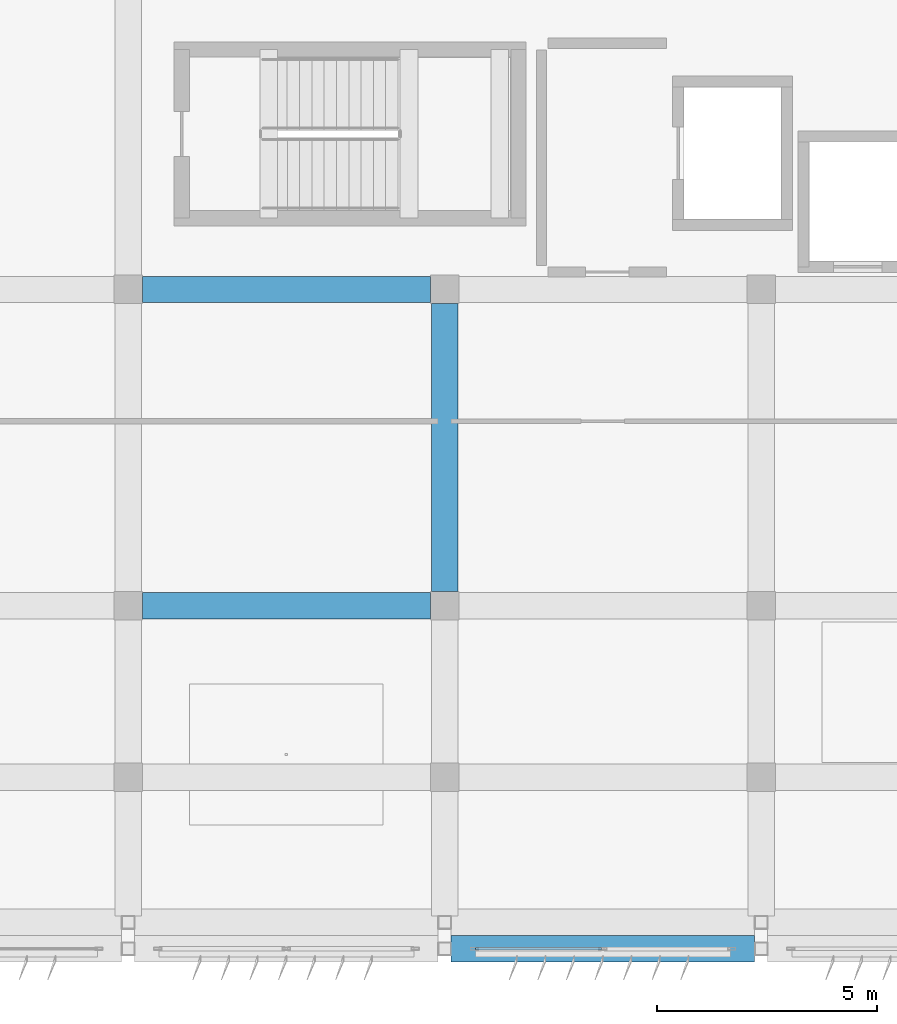
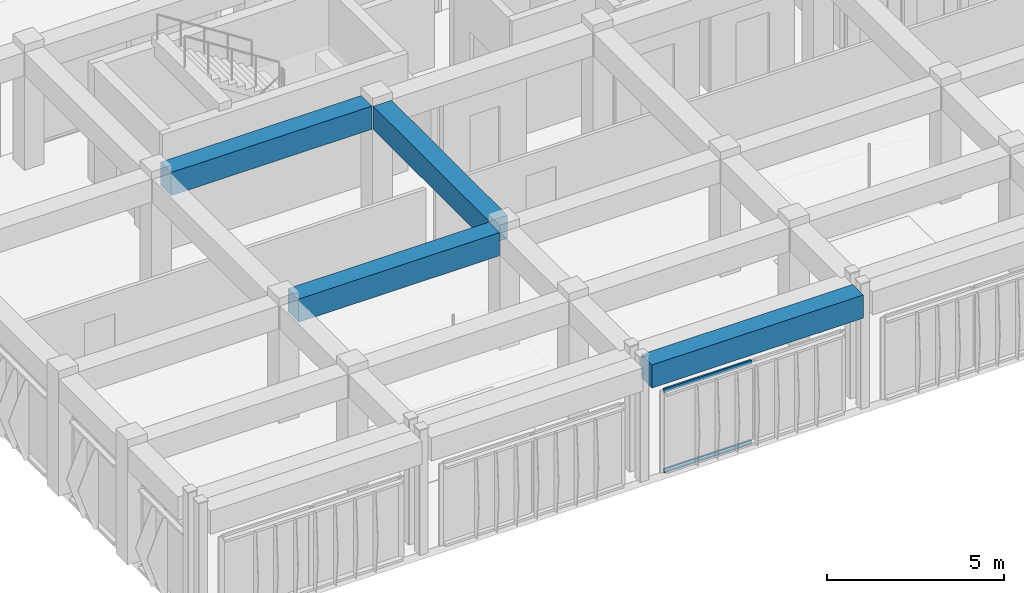
# One storey, part 6 of 42: 4 beams, 2 members, 1 element without a shape of its own.
"""IFC4 building model written with IfcOpenShell, lengths in metres."""

import ifcopenshell
import ifcopenshell.guid

model = None  # the IFC model being written
_history = None  # IfcOwnerHistory: only IFC2X3 demands one
_inside = {}  # id of a spatial element -> (the spatial element, [elements in it])
_under = {}  # id of a project, library or spatial element -> (it, [spatial elements below it])
_declared = {}  # id of a project -> (the project, [libraries it declares])
_typed = {}  # id of a type object -> (the type object, [elements of that type])
_made_of = {}  # id of a material, layer set ... -> (it, [elements and type objects made of it])


def new_model(schema):
    """Start an empty IFC model of exactly this schema.

    Asked for "IFC4X3", IfcOpenShell would pick the latest addendum, in which some entities
    have other attributes; the version numbers below select the first issue.
    IFC2X3 requires an IfcOwnerHistory on every rooted entity: one is made here for all.
    """
    global model, _history
    if schema == "IFC4X3":
        model = ifcopenshell.file(schema_version=(4, 3, 0, 0))
    else:
        model = ifcopenshell.file(schema=schema)
    _inside.clear()
    _under.clear()
    _declared.clear()
    _typed.clear()
    _made_of.clear()
    _history = None
    if model.schema == "IFC2X3":
        org = make("IfcOrganization", Name="unknown")
        user = make(
            "IfcPersonAndOrganization",
            ThePerson=make("IfcPerson", FamilyName="unknown"),
            TheOrganization=org,
        )
        app = make(
            "IfcApplication",
            ApplicationDeveloper=org,
            Version="unknown",
            ApplicationFullName="unknown",
            ApplicationIdentifier="unknown",
        )
        _history = make(
            "IfcOwnerHistory",
            OwningUser=user,
            OwningApplication=app,
            ChangeAction="ADDED",
            CreationDate=0,
        )
    return model


def make(cls, **values):
    """One entity of the class cls with the attributes given. An attribute that is None is left unset."""
    return model.create_entity(
        cls, **{name: value for name, value in values.items() if value is not None}
    )


def rooted(cls, **values):
    """An entity with a GlobalId (a new one), such as an element, a storey or a relation."""
    return make(cls, GlobalId=ifcopenshell.guid.new(), OwnerHistory=_history, **values)


def si_unit(unit_type, name, prefix=None):
    """IfcSIUnit, for example si_unit("LENGTHUNIT", "METRE", prefix="MILLI")."""
    return make("IfcSIUnit", UnitType=unit_type, Prefix=prefix, Name=name)


def assignment(units):
    """IfcUnitAssignment: the units of a project."""
    return None if units is None else make("IfcUnitAssignment", Units=units)


def point(xyz):
    """IfcCartesianPoint."""
    return None if xyz is None else make("IfcCartesianPoint", Coordinates=xyz)


def direction(xyz):
    """IfcDirection."""
    return None if xyz is None else make("IfcDirection", DirectionRatios=xyz)


def frame(location, z_axis=None, x_axis=None):
    """IfcAxis2Placement3D, a coordinate frame: its origin and axes. An axis left out is left unset."""
    return make(
        "IfcAxis2Placement3D",
        Location=point(location),
        Axis=direction(z_axis),
        RefDirection=direction(x_axis),
    )


def frame_2d(location, x_axis=None):
    """IfcAxis2Placement2D, a coordinate frame in the plane: its origin and x axis."""
    return make(
        "IfcAxis2Placement2D", Location=point(location), RefDirection=direction(x_axis)
    )


def origin():
    """The frame at (0, 0, 0) with its axes left unset."""
    return frame((0.0, 0.0, 0.0))


def origin_2d():
    """The frame at (0, 0) in the plane with its x axis left unset."""
    return frame_2d((0.0, 0.0))


def place(relative_to, where):
    """IfcLocalPlacement: puts the frame where relative to a parent placement (None: the world)."""
    return make(
        "IfcLocalPlacement", PlacementRelTo=relative_to, RelativePlacement=where
    )


def context(
    kind, dimensions, precision=None, world=None, true_north=None, identifier=None
):
    """IfcGeometricRepresentationContext, for example the 3D "Model" context."""
    return make(
        "IfcGeometricRepresentationContext",
        ContextIdentifier=identifier,
        ContextType=kind,
        CoordinateSpaceDimension=dimensions,
        Precision=precision,
        WorldCoordinateSystem=world,
        TrueNorth=true_north,
    )


def subcontext(parent, identifier, kind, view, scale=None):
    """IfcGeometricRepresentationSubContext, for example "Body" below "Model"."""
    return make(
        "IfcGeometricRepresentationSubContext",
        ContextIdentifier=identifier,
        ContextType=kind,
        ParentContext=parent,
        TargetScale=scale,
        TargetView=view,
    )


def project(units=None, contexts=None):
    """IfcProject with its units and contexts."""
    return rooted(
        "IfcProject",
        Name="project",
        RepresentationContexts=contexts,
        UnitsInContext=assignment(units),
    )


def spatial(cls, under=None, at=None, **own):
    """A site, building, storey or space (cls), placed at a placement, below another one or the project."""
    s = rooted(cls, ObjectPlacement=at, **own)
    if under is not None:
        _under.setdefault(under.id(), (under, []))[1].append(s)
    return s


def profile(cls, at=None, kind="AREA", **sizes):
    """A parametric profile (cls). Its sizes go by their IFC names, for example OverallWidth=200.0."""
    return make(cls, ProfileType=kind, Position=at, **sizes)


def rectangle(**sizes):
    """IfcRectangleProfileDef."""
    return profile("IfcRectangleProfileDef", **sizes)


def hollow_rectangle(**sizes):
    """IfcRectangleHollowProfileDef."""
    return profile("IfcRectangleHollowProfileDef", **sizes)


def extrude(swept, where, along, depth):
    """IfcExtrudedAreaSolid: the profile swept, set in the frame where, extruded along a direction by depth."""
    return make(
        "IfcExtrudedAreaSolid",
        SweptArea=swept,
        Position=where,
        ExtrudedDirection=direction(along),
        Depth=depth,
    )


def shape(context_of_items, identifier, shape_type, items):
    """IfcShapeRepresentation: the items that make up one representation, for example the "Body"."""
    return make(
        "IfcShapeRepresentation",
        ContextOfItems=context_of_items,
        RepresentationIdentifier=identifier,
        RepresentationType=shape_type,
        Items=items,
    )


def material(Name=None, Category=None):
    """IfcMaterial."""
    return make("IfcMaterial", Name=Name, Category=Category)


def material_profile(
    of_material, cross_section, Name=None, Category=None, Priority=None
):
    """IfcMaterialProfile: a cross section and its material."""
    return make(
        "IfcMaterialProfile",
        Name=Name,
        Material=of_material,
        Profile=cross_section,
        Priority=Priority,
        Category=Category,
    )


def profile_set(profiles, Name=None, composite=None):
    """IfcMaterialProfileSet."""
    return make(
        "IfcMaterialProfileSet",
        Name=Name,
        MaterialProfiles=profiles,
        CompositeProfile=composite,
    )


def made_of(thing, what):
    """Note that an element or type object is made of a material, layer set ...; save() writes the relation."""
    if what is not None:
        _made_of.setdefault(what.id(), (what, []))[1].append(thing)
    return thing


def type_object(cls, material=None, **own):
    """A type object (cls), such as IfcWallType, which elements share."""
    return made_of(rooted(cls, **own), material)


def element(
    cls,
    number,
    at=None,
    inside=None,
    cuts=None,
    type_object=None,
    material=None,
    context=None,
    identifier="Body",
    shape_type=None,
    held_by="IfcProductDefinitionShape",
    body=None,
    shapes=None,
    **own,
):
    """One element of the class cls, such as IfcWall. Its Tag is "e" and its number.

    at: its placement. inside: the storey or other place that contains it. cuts: it is an
    opening in that element (IfcRelVoidsElement). A single representation is given by context,
    identifier, shape_type and body (its items); several are given by shapes. held_by: the class
    of the entity that holds the representations. save() writes the other relations.
    """
    e = rooted(cls, Tag="e%d" % number, ObjectPlacement=at, **own)
    if body is not None:
        shapes = [shape(context, identifier, shape_type, body)]
    if shapes is not None:
        e.Representation = make(held_by, Representations=shapes)
    if inside is not None:
        _inside.setdefault(inside.id(), (inside, []))[1].append(e)
    if cuts is not None:
        rooted(
            "IfcRelVoidsElement", RelatingBuildingElement=cuts, RelatedOpeningElement=e
        )
    if type_object is not None:
        _typed.setdefault(type_object.id(), (type_object, []))[1].append(e)
    return made_of(e, material)


def aggregate(whole, parts):
    """IfcRelAggregates: a whole, such as a stair, and the parts it consists of."""
    return rooted("IfcRelAggregates", RelatingObject=whole, RelatedObjects=parts)


def save(model, path):
    """Write the relations noted so far, then the file.

    IfcRelAggregates (storeys below a building ...), IfcRelContainedInSpatialStructure (elements
    in a storey), IfcRelDefinesByType, IfcRelAssociatesMaterial and IfcRelDeclares: one each for
    every whole, place, type object, material and project.
    """
    for whole, parts in _under.values():
        aggregate(whole, parts)
    for where, things in _inside.values():
        rooted(
            "IfcRelContainedInSpatialStructure",
            RelatedElements=things,
            RelatingStructure=where,
        )
    for kind, things in _typed.values():
        rooted("IfcRelDefinesByType", RelatedObjects=things, RelatingType=kind)
    for what, things in _made_of.values():
        rooted("IfcRelAssociatesMaterial", RelatedObjects=things, RelatingMaterial=what)
    for by, libraries in _declared.values():
        rooted("IfcRelDeclares", RelatingContext=by, RelatedDefinitions=libraries)
    model.write(path)


model = new_model("IFC4")

# Units and contexts
model_context = context("Model", 3, precision=1e-05, world=origin(), true_north=direction((0.0, 1.0)))
body_context = subcontext(model_context, "Body", "Model", "MODEL_VIEW")
ifc_project = project(units=[si_unit("LENGTHUNIT", "METRE"), si_unit("AREAUNIT", "SQUARE_METRE"), si_unit("VOLUMEUNIT", "CUBIC_METRE"), si_unit("PLANEANGLEUNIT", "RADIAN"), si_unit("MASSUNIT", "GRAM", prefix="KILO")], contexts=[model_context])

# Site, building, storey
site_placement = place(None, origin())
site = spatial("IfcSite", under=ifc_project, at=site_placement, CompositionType="ELEMENT")
building_placement = place(site_placement, origin())
building = spatial("IfcBuilding", under=site, at=building_placement, Name="Kazehaya Institute of Natural Sciences", CompositionType="ELEMENT")
storey_placement = place(building_placement, frame((0.0, 0.0, 37.6201171875)))
storey = spatial("IfcBuildingStorey", under=building, at=storey_placement, Name="L08", CompositionType="ELEMENT", Elevation=37.6201171875)

# Beams
ifc_material_1 = material(Name="Concrete Fc36", Category="concrete")
ifc_material_profile_1 = material_profile(ifc_material_1, rectangle(XDim=0.60009765625, YDim=0.800048828125, at=origin_2d()), Name="RC-600x800")
ifc_profile_set_1 = profile_set([ifc_material_profile_1], Name="Concrete Fc36")
beam_type = type_object("IfcBeamType", Name="BM-G-600x800", PredefinedType="BEAM", material=ifc_profile_set_1)
beam_placement = place(storey_placement, frame((69.14990234375, 6.199951171875, 3.64990234375), z_axis=(1.0, 0.0, 0.0), x_axis=(0.0, 1.0, 0.0)))
element("IfcBeam", 1, at=beam_placement, inside=storey, type_object=beam_type, Name="L08 primary X girder BMX-L08-690-62", PredefinedType="BEAM", context=body_context, shape_type="SweptSolid", body=[
    extrude(rectangle(XDim=0.60009765625, YDim=0.800048828125, at=origin_2d()), origin(), (0.0, 0.0, 1.0), 6.900146484375),
])
for number, where, z_axis, x_axis, name in (
    (2, (62.125, 14.0, 3.64990234375), (1.0, 0.0, 0.0), (0.0, 1.0, 0.0), "L08 primary X girder BMX-L08-618-140"),
    (3, (62.125, 21.199951171875, 3.64990234375), (1.0, 0.0, 0.0), (0.0, 1.0, 0.0), "L08 primary X girder BMX-L08-618-212"),
    (4, (69.0, 14.324951171875, 3.64990234375), (0.0, 1.0, 0.0), (-1.0, 0.0, 0.0), "L08 primary Y girder BMY-L08-690-140"),
):
    element("IfcBeam", number, at=place(storey_placement, frame(where, z_axis=z_axis, x_axis=x_axis)), inside=storey, type_object=beam_type, Name=name, PredefinedType="BEAM", context=body_context, shape_type="SweptSolid", body=[
        extrude(rectangle(XDim=0.60009765625, YDim=0.800048828125, at=origin_2d()), origin(), (0.0, 0.0, 1.0), 6.550048828125),
    ])

# Curtain wall, members
ifc_material_2 = material(Name="Aluminium alloy A6063S-T5", Category="aluminium")
curtain_wall_type = type_object("IfcCurtainWallType", Name="CW-SYS-05", PredefinedType="NOTDEFINED", material=ifc_material_2)
curtain_wall_placement = place(storey_placement, origin())
curtain_wall = element("IfcCurtainWall", 5, at=curtain_wall_placement, inside=storey, type_object=curtain_wall_type, Name="L08 unitised curtain wall CW-L08-182", PredefinedType="NOTDEFINED")
ifc_material_profile_2 = material_profile(ifc_material_2, hollow_rectangle(XDim=0.06005859375, YDim=0.139892578125, WallThickness=0.00341796875, at=origin_2d()), Name="ALU-60x140x3.5")
ifc_profile_set_2 = profile_set([ifc_material_profile_2], Name="Aluminium alloy A6063S-T5")
member_type = type_object("IfcMemberType", Name="CWT-140", PredefinedType="USERDEFINED", material=ifc_profile_set_2)
member_1_placement = place(storey_placement, frame((72.570068359375, 6.199951171875, 0.02978515625), z_axis=(-1.0, 0.0, 0.0), x_axis=(0.0, -1.0, 0.0)))
member_1 = element("IfcMember", 6, at=member_1_placement, type_object=member_type, Name="CW05 transom 2.1", ObjectType="TRANSOM", PredefinedType="USERDEFINED", context=body_context, shape_type="SweptSolid", body=[
    extrude(hollow_rectangle(XDim=0.06005859375, YDim=0.139892578125, WallThickness=0.00341796875, at=origin_2d()), origin(), (0.0, 0.0, 1.0), 2.8701171875),
])
member_2_placement = place(storey_placement, frame((72.570068359375, 6.199951171875, 2.789794921875), z_axis=(-1.0, 0.0, 0.0), x_axis=(0.0, -1.0, 0.0)))
member_2 = element("IfcMember", 7, at=member_2_placement, type_object=member_type, Name="CW05 transom 2.2", ObjectType="TRANSOM", PredefinedType="USERDEFINED", context=body_context, shape_type="SweptSolid", body=[
    extrude(hollow_rectangle(XDim=0.06005859375, YDim=0.139892578125, WallThickness=0.00341796875, at=origin_2d()), origin(), (0.0, 0.0, 1.0), 2.8701171875),
])
aggregate(curtain_wall, [member_1, member_2])

save(model, "model.ifc")
